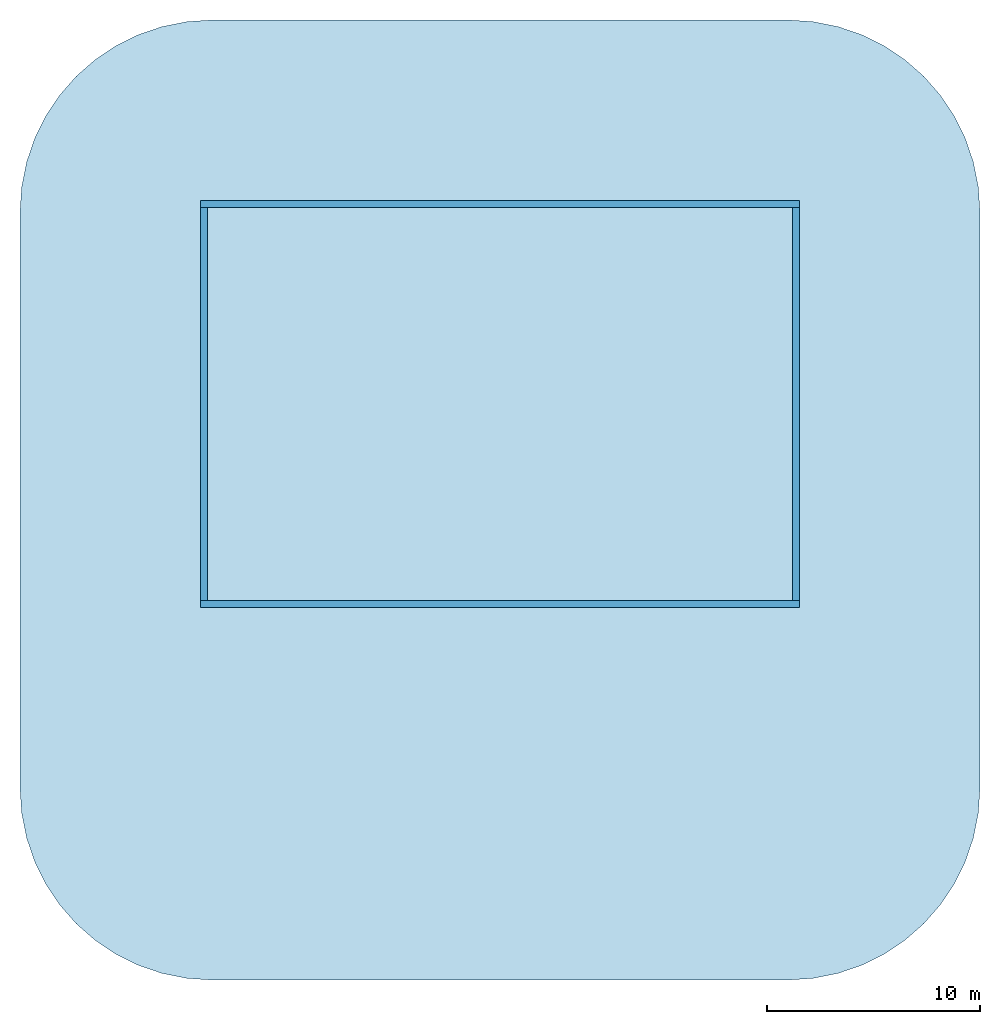
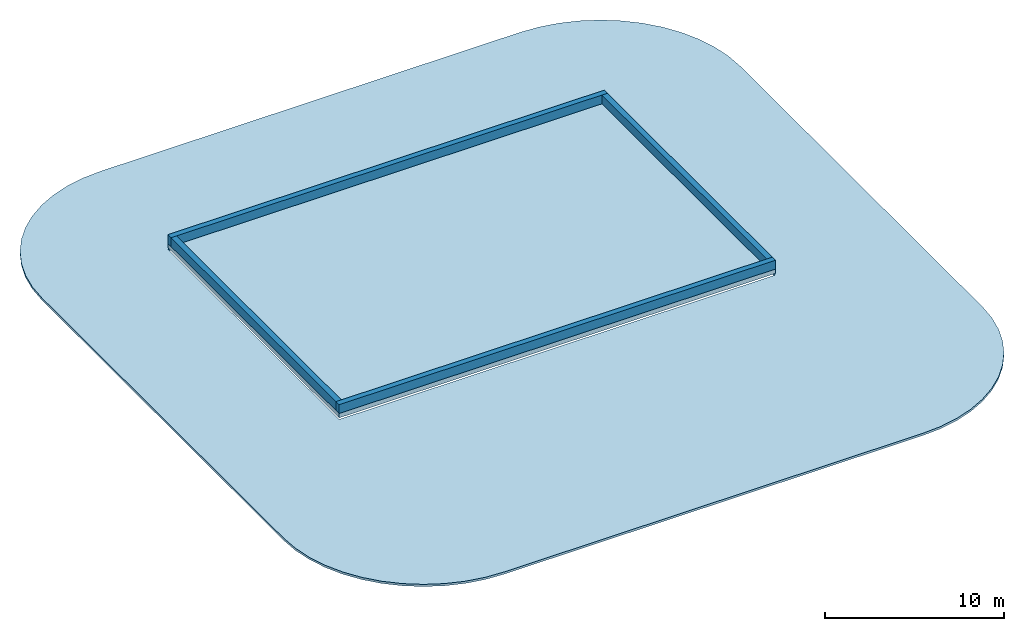
# One storey: 4 walls, 2 slabs.
"""IFC4 building model written with IfcOpenShell, lengths in metres."""

from ifc_helpers import new_model, si_unit, direction, frame, frame_2d, origin, place, context, subcontext, project, spatial, polyline, rectangle, outline, extrude, material, layer, layer_set, type_object, element, save


model = new_model("IFC4")

# Units and contexts
model_context = context("Model", 3, precision=1e-05, world=origin(), true_north=direction((0.0, 1.0)))
body_context = subcontext(model_context, "Body", "Model", "MODEL_VIEW")
ifc_project = project(units=[si_unit("LENGTHUNIT", "METRE"), si_unit("AREAUNIT", "SQUARE_METRE"), si_unit("VOLUMEUNIT", "CUBIC_METRE"), si_unit("PLANEANGLEUNIT", "RADIAN"), si_unit("MASSUNIT", "GRAM", prefix="KILO")], contexts=[model_context])

# Site, building, storey
site_placement = place(None, origin())
site = spatial("IfcSite", under=ifc_project, at=site_placement, CompositionType="ELEMENT")
building_placement = place(site_placement, origin())
building = spatial("IfcBuilding", under=site, at=building_placement, Name="Zorevar Civic Tower", CompositionType="ELEMENT")
storey_placement = place(building_placement, frame((0.0, 0.0, 317.25)))
storey = spatial("IfcBuildingStorey", under=building, at=storey_placement, Name="ROOF", CompositionType="ELEMENT", Elevation=317.25)

# Slabs
ifc_material_1 = material(Name="Steel deck with insulated membrane", Category="steel")
ifc_layer_1 = layer(ifc_material_1, 0.14990234375)
ifc_layer_set_1 = layer_set([ifc_layer_1], Name="Canopy deck 150")
slab_type_1 = type_object("IfcSlabType", Name="Canopy deck 150", PredefinedType="ROOF", material=ifc_layer_set_1)
slab_1_placement = place(storey_placement, origin())
element("IfcSlab", 1, at=slab_1_placement, inside=storey, type_object=slab_type_1, Name="Sky garden canopy deck", PredefinedType="ROOF", context=body_context, shape_type="SweptSolid", body=[
    extrude(outline(polyline([(45.0, 0.0), (18.0, 0.0), (16.8251953125, 0.076904296875), (15.670654296875, 0.306640625), (14.555908203125, 0.68505859375), (13.5, 1.205810546875), (12.521240234375, 1.85986328125), (11.635986328125, 2.635986328125), (10.85986328125, 3.521240234375), (10.205810546875, 4.5), (9.68505859375, 5.555908203125), (9.306640625, 6.670654296875), (9.076904296875, 7.8251953125), (9.0, 9.0), (9.0, 36.0), (9.076904296875, 37.1748046875), (9.306640625, 38.329345703125), (9.68505859375, 39.444091796875), (10.205810546875, 40.5), (10.85986328125, 41.478759765625), (11.635986328125, 42.364013671875), (12.521240234375, 43.14013671875), (13.5, 43.794189453125), (14.555908203125, 44.31494140625), (15.670654296875, 44.693359375), (16.8251953125, 44.923095703125), (18.0, 45.0), (45.0, 45.0), (46.1748046875, 44.923095703125), (47.329345703125, 44.693359375), (48.444091796875, 44.31494140625), (49.5, 43.794189453125), (50.478759765625, 43.14013671875), (51.364013671875, 42.364013671875), (52.14013671875, 41.478759765625), (52.794189453125, 40.5), (53.31494140625, 39.444091796875), (53.693359375, 38.329345703125), (53.923095703125, 37.1748046875), (54.0, 36.0), (54.0, 9.0), (53.923095703125, 7.8251953125), (53.693359375, 6.670654296875), (53.31494140625, 5.555908203125), (52.794189453125, 4.5), (52.14013671875, 3.521240234375), (51.364013671875, 2.635986328125), (50.478759765625, 1.85986328125), (49.5, 1.205810546875), (48.444091796875, 0.68505859375), (47.329345703125, 0.306640625), (46.1748046875, 0.076904296875), (45.0, 0.0)]), holes=[polyline([(17.449951171875, 17.449951171875), (45.550048828125, 17.449951171875), (45.550048828125, 36.550048828125), (17.449951171875, 36.550048828125), (17.449951171875, 17.449951171875)])]), origin(), (0.0, 0.0, 1.0), 0.14990234375),
])
ifc_material_2 = material(Name="Concrete C40/50", Category="concrete")
ifc_layer_2 = layer(ifc_material_2, 0.300048828125)
ifc_layer_set_2 = layer_set([ifc_layer_2], Name="Core roof slab 300")
slab_type_2 = type_object("IfcSlabType", Name="Core roof slab 300", PredefinedType="ROOF", material=ifc_layer_set_2)
slab_2_placement = place(storey_placement, frame((0.0, 0.0, 0.25)))
element("IfcSlab", 2, at=slab_2_placement, inside=storey, type_object=slab_type_2, Name="Core roof slab", PredefinedType="ROOF", context=body_context, shape_type="SweptSolid", body=[
    extrude(outline(polyline([(17.449951171875, 17.449951171875), (45.550048828125, 17.449951171875), (45.550048828125, 36.550048828125), (17.449951171875, 36.550048828125), (17.449951171875, 17.449951171875)])), origin(), (0.0, 0.0, 1.0), 0.300048828125),
])

# Walls
ifc_material_3 = material(Name="Concrete C40/50 with black metal coping", Category="concrete")
ifc_layer_3 = layer(ifc_material_3, 0.35009765625)
ifc_layer_set_3 = layer_set([ifc_layer_3], Name="Parapet 350")
wall_type = type_object("IfcWallType", Name="Parapet 350", PredefinedType="PARAPET", material=ifc_layer_set_3)
for number, where, z_axis, x_axis, name in (
    (3, (17.449951171875, 17.625, 0.550048828125), (0.0, 0.0, 1.0), (1.0, 0.0, 0.0), "Core roof parapet S"),
    (4, (17.449951171875, 36.375, 0.550048828125), (0.0, 0.0, 1.0), (1.0, 0.0, 0.0), "Core roof parapet N"),
):
    element("IfcWall", number, at=place(storey_placement, frame(where, z_axis=z_axis, x_axis=x_axis)), inside=storey, type_object=wall_type, Name=name, PredefinedType="PARAPET", context=body_context, shape_type="SweptSolid", body=[
        extrude(rectangle(XDim=28.10009765625, YDim=0.35009765625, at=frame_2d((14.050048828125, 0.0))), origin(), (0.0, 0.0, 1.0), 0.599853515625),
    ])
for number, where, z_axis, x_axis, name in (
    (5, (17.625, 17.800048828125, 0.550048828125), (0.0, 0.0, 1.0), (0.0, 1.0, 0.0), "Core roof parapet W"),
    (6, (45.375, 17.800048828125, 0.550048828125), (0.0, 0.0, 1.0), (0.0, 1.0, 0.0), "Core roof parapet E"),
):
    element("IfcWall", number, at=place(storey_placement, frame(where, z_axis=z_axis, x_axis=x_axis)), inside=storey, type_object=wall_type, Name=name, PredefinedType="PARAPET", context=body_context, shape_type="SweptSolid", body=[
        extrude(rectangle(XDim=18.39990234375, YDim=0.35009765625, at=frame_2d((9.199951171875, 0.0))), origin(), (0.0, 0.0, 1.0), 0.599853515625),
    ])

save(model, "model.ifc")
